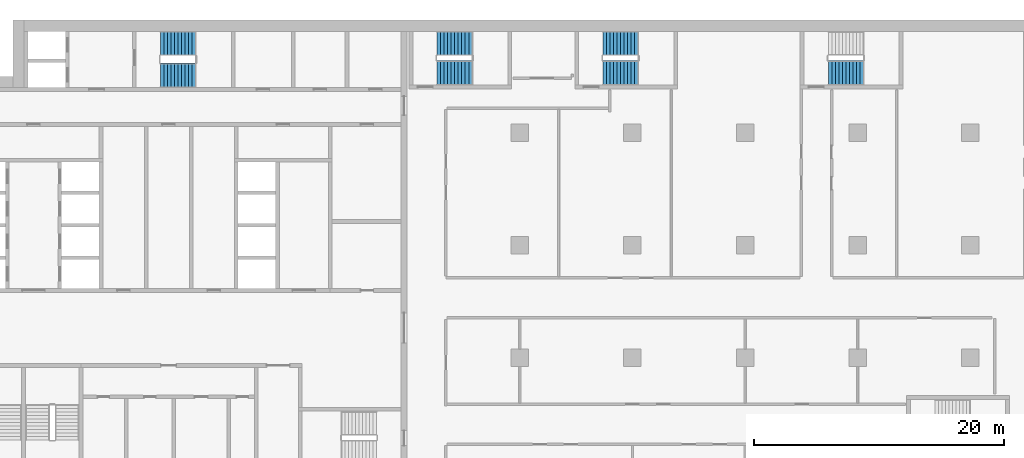
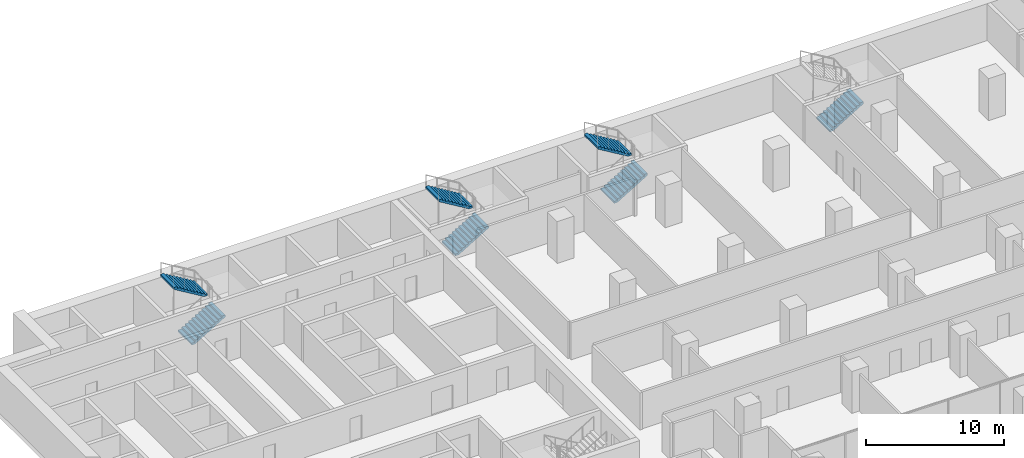
# One storey, part 21 of 28: 7 stair flights, 4 elements without a shape of their own.
"""IFC4 building model written with IfcOpenShell, lengths in metres."""

from ifc_helpers import new_model, si_unit, direction, frame, origin, place, context, subcontext, project, spatial, polyline, outline, extrude, material, type_object, element, aggregate, save


model = new_model("IFC4")

# Units and contexts
model_context = context("Model", 3, precision=1e-05, world=origin(), true_north=direction((0.0, 1.0)))
body_context = subcontext(model_context, "Body", "Model", "MODEL_VIEW")
ifc_project = project(units=[si_unit("LENGTHUNIT", "METRE"), si_unit("AREAUNIT", "SQUARE_METRE"), si_unit("VOLUMEUNIT", "CUBIC_METRE"), si_unit("PLANEANGLEUNIT", "RADIAN"), si_unit("MASSUNIT", "GRAM", prefix="KILO")], contexts=[model_context])

# Site, building, storey
site_placement = place(None, origin())
site = spatial("IfcSite", under=ifc_project, at=site_placement, CompositionType="ELEMENT")
building_placement = place(site_placement, origin())
building = spatial("IfcBuilding", under=site, at=building_placement, Name="Hunhe Ridgeline Campus", CompositionType="ELEMENT")
storey_placement = place(building_placement, frame((0.0, 0.0, 76.5)))
storey = spatial("IfcBuildingStorey", under=building, at=storey_placement, Name="L18", CompositionType="ELEMENT", Elevation=76.5)

# Stair, stair flights
ifc_material = material(Name="Concrete C40", Category="concrete")
stair_type = type_object("IfcStairType", Name="Reinforced concrete dog-leg stair 1950 Concrete C40", PredefinedType="HALF_TURN_STAIR", material=ifc_material)
stair_1_placement = place(storey_placement, origin())
stair_1 = element("IfcStair", 1, at=stair_1_placement, inside=storey, type_object=stair_type, Name="L18 S1", PredefinedType="HALF_TURN_STAIR")
stair_flight_type = type_object("IfcStairFlightType", Name="Reinforced concrete stair flight 1950 Concrete C40", PredefinedType="STRAIGHT", material=ifc_material)
stair_flight_1_placement = place(storey_placement, frame((16.300048828125, 94.574951171875, 0.0), z_axis=(0.0, 0.0, 1.0), x_axis=(1.0, 0.0, 0.0)))
stair_flight_1 = element("IfcStairFlight", 2, at=stair_flight_1_placement, type_object=stair_flight_type, Name="ST1 flight 1", NumberOfRisers=11, NumberOfTreads=10, PredefinedType="STRAIGHT", RiserHeight=0.168181818, TreadLength=0.28, context=body_context, shape_type="SweptSolid", body=[
    extrude(outline(polyline([(0.0, 0.0), (0.0, 0.168212890625), (0.280029296875, 0.168212890625), (0.280029296875, 0.33642578125), (0.56005859375, 0.33642578125), (0.56005859375, 0.504638671875), (0.840087890625, 0.504638671875), (0.840087890625, 0.672607421875), (1.1201171875, 0.672607421875), (1.1201171875, 0.8408203125), (1.39990234375, 0.8408203125), (1.39990234375, 1.009033203125), (1.679931640625, 1.009033203125), (1.679931640625, 1.17724609375), (1.9599609375, 1.17724609375), (1.9599609375, 1.345458984375), (2.239990234375, 1.345458984375), (2.239990234375, 1.513671875), (2.52001953125, 1.513671875), (2.52001953125, 1.681884765625), (2.800048828125, 1.681884765625), (2.800048828125, 1.85009765625), (2.800048828125, 1.5068359375), (0.291015625, 0.0), (0.0, 0.0)])), frame((0.0, 0.97509765625, 0.0), z_axis=(0.0, -1.0, 0.0), x_axis=(1.0, 0.0, 0.0)), (0.0, 0.0, 1.0), 1.949951171875),
    extrude(outline(polyline([(0.030029296875, 0.030029296875), (0.030029296875, 0.13818359375), (0.31005859375, 0.13818359375), (0.31005859375, 0.306396484375), (0.590087890625, 0.306396484375), (0.590087890625, 0.474609375), (0.8701171875, 0.474609375), (0.8701171875, 0.642578125), (1.14990234375, 0.642578125), (1.14990234375, 0.810791015625), (1.429931640625, 0.810791015625), (1.429931640625, 0.97900390625), (1.7099609375, 0.97900390625), (1.7099609375, 1.147216796875), (1.989990234375, 1.147216796875), (1.989990234375, 1.3154296875), (2.27001953125, 1.3154296875), (2.27001953125, 1.483642578125), (2.550048828125, 1.483642578125), (2.550048828125, 1.65185546875), (2.77001953125, 1.65185546875), (2.77001953125, 1.52392578125), (0.28271484375, 0.030029296875), (0.030029296875, 0.030029296875)])), frame((0.0, -0.070068359375, 0.0), z_axis=(0.0, -1.0, 0.0), x_axis=(1.0, 0.0, 0.0)), (0.0, 0.0, 1.0), 0.019775390625),
    extrude(outline(polyline([(0.030029296875, 0.030029296875), (0.030029296875, 0.13818359375), (0.31005859375, 0.13818359375), (0.31005859375, 0.306396484375), (0.590087890625, 0.306396484375), (0.590087890625, 0.474609375), (0.8701171875, 0.474609375), (0.8701171875, 0.642578125), (1.14990234375, 0.642578125), (1.14990234375, 0.810791015625), (1.429931640625, 0.810791015625), (1.429931640625, 0.97900390625), (1.7099609375, 0.97900390625), (1.7099609375, 1.147216796875), (1.989990234375, 1.147216796875), (1.989990234375, 1.3154296875), (2.27001953125, 1.3154296875), (2.27001953125, 1.483642578125), (2.550048828125, 1.483642578125), (2.550048828125, 1.65185546875), (2.77001953125, 1.65185546875), (2.77001953125, 1.52392578125), (0.28271484375, 0.030029296875), (0.030029296875, 0.030029296875)])), frame((0.0, 0.010009765625, 0.0), z_axis=(0.0, -1.0, 0.0), x_axis=(1.0, 0.0, 0.0)), (0.0, 0.0, 1.0), 0.019775390625),
    extrude(outline(polyline([(0.030029296875, 0.030029296875), (0.030029296875, 0.13818359375), (0.31005859375, 0.13818359375), (0.31005859375, 0.306396484375), (0.590087890625, 0.306396484375), (0.590087890625, 0.474609375), (0.8701171875, 0.474609375), (0.8701171875, 0.642578125), (1.14990234375, 0.642578125), (1.14990234375, 0.810791015625), (1.429931640625, 0.810791015625), (1.429931640625, 0.97900390625), (1.7099609375, 0.97900390625), (1.7099609375, 1.147216796875), (1.989990234375, 1.147216796875), (1.989990234375, 1.3154296875), (2.27001953125, 1.3154296875), (2.27001953125, 1.483642578125), (2.550048828125, 1.483642578125), (2.550048828125, 1.65185546875), (2.77001953125, 1.65185546875), (2.77001953125, 1.52392578125), (0.28271484375, 0.030029296875), (0.030029296875, 0.030029296875)])), frame((0.0, 0.090087890625, 0.0), z_axis=(0.0, -1.0, 0.0), x_axis=(1.0, 0.0, 0.0)), (0.0, 0.0, 1.0), 0.019775390625),
])
stair_flight_2_placement = place(storey_placement, frame((19.10009765625, 97.125, 1.85009765625), z_axis=(0.0, 0.0, 1.0), x_axis=(-1.0, 0.0, 0.0)))
stair_flight_2 = element("IfcStairFlight", 3, at=stair_flight_2_placement, type_object=stair_flight_type, Name="ST1 flight 2", NumberOfRisers=11, NumberOfTreads=10, PredefinedType="STRAIGHT", RiserHeight=0.168181818, TreadLength=0.28, context=body_context, shape_type="SweptSolid", body=[
    extrude(outline(polyline([(0.0, 0.0), (0.0, 0.168212890625), (0.280029296875, 0.168212890625), (0.280029296875, 0.33642578125), (0.56005859375, 0.33642578125), (0.56005859375, 0.504638671875), (0.840087890625, 0.504638671875), (0.840087890625, 0.672607421875), (1.1201171875, 0.672607421875), (1.1201171875, 0.8408203125), (1.39990234375, 0.8408203125), (1.39990234375, 1.009033203125), (1.679931640625, 1.009033203125), (1.679931640625, 1.17724609375), (1.9599609375, 1.17724609375), (1.9599609375, 1.345458984375), (2.239990234375, 1.345458984375), (2.239990234375, 1.513671875), (2.52001953125, 1.513671875), (2.52001953125, 1.681884765625), (2.800048828125, 1.681884765625), (2.800048828125, 1.85009765625), (2.800048828125, 1.5068359375), (0.291015625, 0.0), (0.0, 0.0)])), frame((0.0, 0.97509765625, 0.0), z_axis=(0.0, -1.0, 0.0), x_axis=(1.0, 0.0, 0.0)), (0.0, 0.0, 1.0), 1.949951171875),
    extrude(outline(polyline([(0.030029296875, 0.030029296875), (0.030029296875, 0.13818359375), (0.31005859375, 0.13818359375), (0.31005859375, 0.306396484375), (0.590087890625, 0.306396484375), (0.590087890625, 0.474609375), (0.8701171875, 0.474609375), (0.8701171875, 0.642578125), (1.14990234375, 0.642578125), (1.14990234375, 0.810791015625), (1.429931640625, 0.810791015625), (1.429931640625, 0.97900390625), (1.7099609375, 0.97900390625), (1.7099609375, 1.147216796875), (1.989990234375, 1.147216796875), (1.989990234375, 1.3154296875), (2.27001953125, 1.3154296875), (2.27001953125, 1.483642578125), (2.550048828125, 1.483642578125), (2.550048828125, 1.65185546875), (2.77001953125, 1.65185546875), (2.77001953125, 1.52392578125), (0.28271484375, 0.030029296875), (0.030029296875, 0.030029296875)])), frame((0.0, -0.070068359375, 0.0), z_axis=(0.0, -1.0, 0.0), x_axis=(1.0, 0.0, 0.0)), (0.0, 0.0, 1.0), 0.019775390625),
    extrude(outline(polyline([(0.030029296875, 0.030029296875), (0.030029296875, 0.13818359375), (0.31005859375, 0.13818359375), (0.31005859375, 0.306396484375), (0.590087890625, 0.306396484375), (0.590087890625, 0.474609375), (0.8701171875, 0.474609375), (0.8701171875, 0.642578125), (1.14990234375, 0.642578125), (1.14990234375, 0.810791015625), (1.429931640625, 0.810791015625), (1.429931640625, 0.97900390625), (1.7099609375, 0.97900390625), (1.7099609375, 1.147216796875), (1.989990234375, 1.147216796875), (1.989990234375, 1.3154296875), (2.27001953125, 1.3154296875), (2.27001953125, 1.483642578125), (2.550048828125, 1.483642578125), (2.550048828125, 1.65185546875), (2.77001953125, 1.65185546875), (2.77001953125, 1.52392578125), (0.28271484375, 0.030029296875), (0.030029296875, 0.030029296875)])), frame((0.0, 0.010009765625, 0.0), z_axis=(0.0, -1.0, 0.0), x_axis=(1.0, 0.0, 0.0)), (0.0, 0.0, 1.0), 0.019775390625),
    extrude(outline(polyline([(0.030029296875, 0.030029296875), (0.030029296875, 0.13818359375), (0.31005859375, 0.13818359375), (0.31005859375, 0.306396484375), (0.590087890625, 0.306396484375), (0.590087890625, 0.474609375), (0.8701171875, 0.474609375), (0.8701171875, 0.642578125), (1.14990234375, 0.642578125), (1.14990234375, 0.810791015625), (1.429931640625, 0.810791015625), (1.429931640625, 0.97900390625), (1.7099609375, 0.97900390625), (1.7099609375, 1.147216796875), (1.989990234375, 1.147216796875), (1.989990234375, 1.3154296875), (2.27001953125, 1.3154296875), (2.27001953125, 1.483642578125), (2.550048828125, 1.483642578125), (2.550048828125, 1.65185546875), (2.77001953125, 1.65185546875), (2.77001953125, 1.52392578125), (0.28271484375, 0.030029296875), (0.030029296875, 0.030029296875)])), frame((0.0, 0.090087890625, 0.0), z_axis=(0.0, -1.0, 0.0), x_axis=(1.0, 0.0, 0.0)), (0.0, 0.0, 1.0), 0.019775390625),
])
aggregate(stair_1, [stair_flight_1, stair_flight_2])

stair_2_placement = place(storey_placement, origin())
stair_2 = element("IfcStair", 4, at=stair_2_placement, inside=storey, type_object=stair_type, Name="L18 E1", PredefinedType="HALF_TURN_STAIR")
stair_flight_3_placement = place(storey_placement, frame((38.39990234375, 94.77490234375, 0.0), z_axis=(0.0, 0.0, 1.0), x_axis=(1.0, 0.0, 0.0)))
stair_flight_3 = element("IfcStairFlight", 5, at=stair_flight_3_placement, type_object=stair_flight_type, Name="ST5 flight 1", NumberOfRisers=11, NumberOfTreads=10, PredefinedType="STRAIGHT", RiserHeight=0.168181818, TreadLength=0.28, context=body_context, shape_type="SweptSolid", body=[
    extrude(outline(polyline([(0.0, 0.0), (0.0, 0.168212890625), (0.280029296875, 0.168212890625), (0.280029296875, 0.33642578125), (0.56005859375, 0.33642578125), (0.56005859375, 0.504638671875), (0.840087890625, 0.504638671875), (0.840087890625, 0.672607421875), (1.1201171875, 0.672607421875), (1.1201171875, 0.8408203125), (1.39990234375, 0.8408203125), (1.39990234375, 1.009033203125), (1.679931640625, 1.009033203125), (1.679931640625, 1.17724609375), (1.9599609375, 1.17724609375), (1.9599609375, 1.345458984375), (2.239990234375, 1.345458984375), (2.239990234375, 1.513671875), (2.52001953125, 1.513671875), (2.52001953125, 1.681884765625), (2.800048828125, 1.681884765625), (2.800048828125, 1.85009765625), (2.800048828125, 1.5068359375), (0.291015625, 0.0), (0.0, 0.0)])), frame((0.0, 0.97509765625, 0.0), z_axis=(0.0, -1.0, 0.0), x_axis=(1.0, 0.0, 0.0)), (0.0, 0.0, 1.0), 1.949951171875),
    extrude(outline(polyline([(0.030029296875, 0.030029296875), (0.030029296875, 0.13818359375), (0.31005859375, 0.13818359375), (0.31005859375, 0.306396484375), (0.590087890625, 0.306396484375), (0.590087890625, 0.474609375), (0.8701171875, 0.474609375), (0.8701171875, 0.642578125), (1.14990234375, 0.642578125), (1.14990234375, 0.810791015625), (1.429931640625, 0.810791015625), (1.429931640625, 0.97900390625), (1.7099609375, 0.97900390625), (1.7099609375, 1.147216796875), (1.989990234375, 1.147216796875), (1.989990234375, 1.3154296875), (2.27001953125, 1.3154296875), (2.27001953125, 1.483642578125), (2.550048828125, 1.483642578125), (2.550048828125, 1.65185546875), (2.77001953125, 1.65185546875), (2.77001953125, 1.52392578125), (0.28271484375, 0.030029296875), (0.030029296875, 0.030029296875)])), frame((0.0, -0.070068359375, 0.0), z_axis=(0.0, -1.0, 0.0), x_axis=(1.0, 0.0, 0.0)), (0.0, 0.0, 1.0), 0.019775390625),
    extrude(outline(polyline([(0.030029296875, 0.030029296875), (0.030029296875, 0.13818359375), (0.31005859375, 0.13818359375), (0.31005859375, 0.306396484375), (0.590087890625, 0.306396484375), (0.590087890625, 0.474609375), (0.8701171875, 0.474609375), (0.8701171875, 0.642578125), (1.14990234375, 0.642578125), (1.14990234375, 0.810791015625), (1.429931640625, 0.810791015625), (1.429931640625, 0.97900390625), (1.7099609375, 0.97900390625), (1.7099609375, 1.147216796875), (1.989990234375, 1.147216796875), (1.989990234375, 1.3154296875), (2.27001953125, 1.3154296875), (2.27001953125, 1.483642578125), (2.550048828125, 1.483642578125), (2.550048828125, 1.65185546875), (2.77001953125, 1.65185546875), (2.77001953125, 1.52392578125), (0.28271484375, 0.030029296875), (0.030029296875, 0.030029296875)])), frame((0.0, 0.010009765625, 0.0), z_axis=(0.0, -1.0, 0.0), x_axis=(1.0, 0.0, 0.0)), (0.0, 0.0, 1.0), 0.019775390625),
    extrude(outline(polyline([(0.030029296875, 0.030029296875), (0.030029296875, 0.13818359375), (0.31005859375, 0.13818359375), (0.31005859375, 0.306396484375), (0.590087890625, 0.306396484375), (0.590087890625, 0.474609375), (0.8701171875, 0.474609375), (0.8701171875, 0.642578125), (1.14990234375, 0.642578125), (1.14990234375, 0.810791015625), (1.429931640625, 0.810791015625), (1.429931640625, 0.97900390625), (1.7099609375, 0.97900390625), (1.7099609375, 1.147216796875), (1.989990234375, 1.147216796875), (1.989990234375, 1.3154296875), (2.27001953125, 1.3154296875), (2.27001953125, 1.483642578125), (2.550048828125, 1.483642578125), (2.550048828125, 1.65185546875), (2.77001953125, 1.65185546875), (2.77001953125, 1.52392578125), (0.28271484375, 0.030029296875), (0.030029296875, 0.030029296875)])), frame((0.0, 0.090087890625, 0.0), z_axis=(0.0, -1.0, 0.0), x_axis=(1.0, 0.0, 0.0)), (0.0, 0.0, 1.0), 0.019775390625),
])
stair_flight_4_placement = place(storey_placement, frame((41.199951171875, 97.125, 1.85009765625), z_axis=(0.0, 0.0, 1.0), x_axis=(-1.0, 0.0, 0.0)))
stair_flight_4 = element("IfcStairFlight", 6, at=stair_flight_4_placement, type_object=stair_flight_type, Name="ST5 flight 2", NumberOfRisers=11, NumberOfTreads=10, PredefinedType="STRAIGHT", RiserHeight=0.168181818, TreadLength=0.28, context=body_context, shape_type="SweptSolid", body=[
    extrude(outline(polyline([(0.0, 0.0), (0.0, 0.168212890625), (0.280029296875, 0.168212890625), (0.280029296875, 0.33642578125), (0.56005859375, 0.33642578125), (0.56005859375, 0.504638671875), (0.840087890625, 0.504638671875), (0.840087890625, 0.672607421875), (1.1201171875, 0.672607421875), (1.1201171875, 0.8408203125), (1.39990234375, 0.8408203125), (1.39990234375, 1.009033203125), (1.679931640625, 1.009033203125), (1.679931640625, 1.17724609375), (1.9599609375, 1.17724609375), (1.9599609375, 1.345458984375), (2.239990234375, 1.345458984375), (2.239990234375, 1.513671875), (2.52001953125, 1.513671875), (2.52001953125, 1.681884765625), (2.800048828125, 1.681884765625), (2.800048828125, 1.85009765625), (2.800048828125, 1.5068359375), (0.291015625, 0.0), (0.0, 0.0)])), frame((0.0, 0.97509765625, 0.0), z_axis=(0.0, -1.0, 0.0), x_axis=(1.0, 0.0, 0.0)), (0.0, 0.0, 1.0), 1.949951171875),
    extrude(outline(polyline([(0.030029296875, 0.030029296875), (0.030029296875, 0.13818359375), (0.31005859375, 0.13818359375), (0.31005859375, 0.306396484375), (0.590087890625, 0.306396484375), (0.590087890625, 0.474609375), (0.8701171875, 0.474609375), (0.8701171875, 0.642578125), (1.14990234375, 0.642578125), (1.14990234375, 0.810791015625), (1.429931640625, 0.810791015625), (1.429931640625, 0.97900390625), (1.7099609375, 0.97900390625), (1.7099609375, 1.147216796875), (1.989990234375, 1.147216796875), (1.989990234375, 1.3154296875), (2.27001953125, 1.3154296875), (2.27001953125, 1.483642578125), (2.550048828125, 1.483642578125), (2.550048828125, 1.65185546875), (2.77001953125, 1.65185546875), (2.77001953125, 1.52392578125), (0.28271484375, 0.030029296875), (0.030029296875, 0.030029296875)])), frame((0.0, -0.070068359375, 0.0), z_axis=(0.0, -1.0, 0.0), x_axis=(1.0, 0.0, 0.0)), (0.0, 0.0, 1.0), 0.019775390625),
    extrude(outline(polyline([(0.030029296875, 0.030029296875), (0.030029296875, 0.13818359375), (0.31005859375, 0.13818359375), (0.31005859375, 0.306396484375), (0.590087890625, 0.306396484375), (0.590087890625, 0.474609375), (0.8701171875, 0.474609375), (0.8701171875, 0.642578125), (1.14990234375, 0.642578125), (1.14990234375, 0.810791015625), (1.429931640625, 0.810791015625), (1.429931640625, 0.97900390625), (1.7099609375, 0.97900390625), (1.7099609375, 1.147216796875), (1.989990234375, 1.147216796875), (1.989990234375, 1.3154296875), (2.27001953125, 1.3154296875), (2.27001953125, 1.483642578125), (2.550048828125, 1.483642578125), (2.550048828125, 1.65185546875), (2.77001953125, 1.65185546875), (2.77001953125, 1.52392578125), (0.28271484375, 0.030029296875), (0.030029296875, 0.030029296875)])), frame((0.0, 0.010009765625, 0.0), z_axis=(0.0, -1.0, 0.0), x_axis=(1.0, 0.0, 0.0)), (0.0, 0.0, 1.0), 0.019775390625),
    extrude(outline(polyline([(0.030029296875, 0.030029296875), (0.030029296875, 0.13818359375), (0.31005859375, 0.13818359375), (0.31005859375, 0.306396484375), (0.590087890625, 0.306396484375), (0.590087890625, 0.474609375), (0.8701171875, 0.474609375), (0.8701171875, 0.642578125), (1.14990234375, 0.642578125), (1.14990234375, 0.810791015625), (1.429931640625, 0.810791015625), (1.429931640625, 0.97900390625), (1.7099609375, 0.97900390625), (1.7099609375, 1.147216796875), (1.989990234375, 1.147216796875), (1.989990234375, 1.3154296875), (2.27001953125, 1.3154296875), (2.27001953125, 1.483642578125), (2.550048828125, 1.483642578125), (2.550048828125, 1.65185546875), (2.77001953125, 1.65185546875), (2.77001953125, 1.52392578125), (0.28271484375, 0.030029296875), (0.030029296875, 0.030029296875)])), frame((0.0, 0.090087890625, 0.0), z_axis=(0.0, -1.0, 0.0), x_axis=(1.0, 0.0, 0.0)), (0.0, 0.0, 1.0), 0.019775390625),
])
aggregate(stair_2, [stair_flight_3, stair_flight_4])

stair_3_placement = place(storey_placement, origin())
stair_3 = element("IfcStair", 7, at=stair_3_placement, inside=storey, type_object=stair_type, Name="L18 E2", PredefinedType="HALF_TURN_STAIR")
stair_flight_5_placement = place(storey_placement, frame((51.64990234375, 94.77490234375, 0.0), z_axis=(0.0, 0.0, 1.0), x_axis=(1.0, 0.0, 0.0)))
stair_flight_5 = element("IfcStairFlight", 8, at=stair_flight_5_placement, type_object=stair_flight_type, Name="ST6 flight 1", NumberOfRisers=11, NumberOfTreads=10, PredefinedType="STRAIGHT", RiserHeight=0.168181818, TreadLength=0.28, context=body_context, shape_type="SweptSolid", body=[
    extrude(outline(polyline([(0.0, 0.0), (0.0, 0.168212890625), (0.280029296875, 0.168212890625), (0.280029296875, 0.33642578125), (0.56005859375, 0.33642578125), (0.56005859375, 0.504638671875), (0.840087890625, 0.504638671875), (0.840087890625, 0.672607421875), (1.1201171875, 0.672607421875), (1.1201171875, 0.8408203125), (1.39990234375, 0.8408203125), (1.39990234375, 1.009033203125), (1.679931640625, 1.009033203125), (1.679931640625, 1.17724609375), (1.9599609375, 1.17724609375), (1.9599609375, 1.345458984375), (2.239990234375, 1.345458984375), (2.239990234375, 1.513671875), (2.52001953125, 1.513671875), (2.52001953125, 1.681884765625), (2.800048828125, 1.681884765625), (2.800048828125, 1.85009765625), (2.800048828125, 1.5068359375), (0.291015625, 0.0), (0.0, 0.0)])), frame((0.0, 0.97509765625, 0.0), z_axis=(0.0, -1.0, 0.0), x_axis=(1.0, 0.0, 0.0)), (0.0, 0.0, 1.0), 1.949951171875),
    extrude(outline(polyline([(0.030029296875, 0.030029296875), (0.030029296875, 0.13818359375), (0.31005859375, 0.13818359375), (0.31005859375, 0.306396484375), (0.590087890625, 0.306396484375), (0.590087890625, 0.474609375), (0.8701171875, 0.474609375), (0.8701171875, 0.642578125), (1.14990234375, 0.642578125), (1.14990234375, 0.810791015625), (1.429931640625, 0.810791015625), (1.429931640625, 0.97900390625), (1.7099609375, 0.97900390625), (1.7099609375, 1.147216796875), (1.989990234375, 1.147216796875), (1.989990234375, 1.3154296875), (2.27001953125, 1.3154296875), (2.27001953125, 1.483642578125), (2.550048828125, 1.483642578125), (2.550048828125, 1.65185546875), (2.77001953125, 1.65185546875), (2.77001953125, 1.52392578125), (0.28271484375, 0.030029296875), (0.030029296875, 0.030029296875)])), frame((0.0, -0.070068359375, 0.0), z_axis=(0.0, -1.0, 0.0), x_axis=(1.0, 0.0, 0.0)), (0.0, 0.0, 1.0), 0.019775390625),
    extrude(outline(polyline([(0.030029296875, 0.030029296875), (0.030029296875, 0.13818359375), (0.31005859375, 0.13818359375), (0.31005859375, 0.306396484375), (0.590087890625, 0.306396484375), (0.590087890625, 0.474609375), (0.8701171875, 0.474609375), (0.8701171875, 0.642578125), (1.14990234375, 0.642578125), (1.14990234375, 0.810791015625), (1.429931640625, 0.810791015625), (1.429931640625, 0.97900390625), (1.7099609375, 0.97900390625), (1.7099609375, 1.147216796875), (1.989990234375, 1.147216796875), (1.989990234375, 1.3154296875), (2.27001953125, 1.3154296875), (2.27001953125, 1.483642578125), (2.550048828125, 1.483642578125), (2.550048828125, 1.65185546875), (2.77001953125, 1.65185546875), (2.77001953125, 1.52392578125), (0.28271484375, 0.030029296875), (0.030029296875, 0.030029296875)])), frame((0.0, 0.010009765625, 0.0), z_axis=(0.0, -1.0, 0.0), x_axis=(1.0, 0.0, 0.0)), (0.0, 0.0, 1.0), 0.019775390625),
    extrude(outline(polyline([(0.030029296875, 0.030029296875), (0.030029296875, 0.13818359375), (0.31005859375, 0.13818359375), (0.31005859375, 0.306396484375), (0.590087890625, 0.306396484375), (0.590087890625, 0.474609375), (0.8701171875, 0.474609375), (0.8701171875, 0.642578125), (1.14990234375, 0.642578125), (1.14990234375, 0.810791015625), (1.429931640625, 0.810791015625), (1.429931640625, 0.97900390625), (1.7099609375, 0.97900390625), (1.7099609375, 1.147216796875), (1.989990234375, 1.147216796875), (1.989990234375, 1.3154296875), (2.27001953125, 1.3154296875), (2.27001953125, 1.483642578125), (2.550048828125, 1.483642578125), (2.550048828125, 1.65185546875), (2.77001953125, 1.65185546875), (2.77001953125, 1.52392578125), (0.28271484375, 0.030029296875), (0.030029296875, 0.030029296875)])), frame((0.0, 0.090087890625, 0.0), z_axis=(0.0, -1.0, 0.0), x_axis=(1.0, 0.0, 0.0)), (0.0, 0.0, 1.0), 0.019775390625),
])
stair_flight_6_placement = place(storey_placement, frame((54.449951171875, 97.125, 1.85009765625), z_axis=(0.0, 0.0, 1.0), x_axis=(-1.0, 0.0, 0.0)))
stair_flight_6 = element("IfcStairFlight", 9, at=stair_flight_6_placement, type_object=stair_flight_type, Name="ST6 flight 2", NumberOfRisers=11, NumberOfTreads=10, PredefinedType="STRAIGHT", RiserHeight=0.168181818, TreadLength=0.28, context=body_context, shape_type="SweptSolid", body=[
    extrude(outline(polyline([(0.0, 0.0), (0.0, 0.168212890625), (0.280029296875, 0.168212890625), (0.280029296875, 0.33642578125), (0.56005859375, 0.33642578125), (0.56005859375, 0.504638671875), (0.840087890625, 0.504638671875), (0.840087890625, 0.672607421875), (1.1201171875, 0.672607421875), (1.1201171875, 0.8408203125), (1.39990234375, 0.8408203125), (1.39990234375, 1.009033203125), (1.679931640625, 1.009033203125), (1.679931640625, 1.17724609375), (1.9599609375, 1.17724609375), (1.9599609375, 1.345458984375), (2.239990234375, 1.345458984375), (2.239990234375, 1.513671875), (2.52001953125, 1.513671875), (2.52001953125, 1.681884765625), (2.800048828125, 1.681884765625), (2.800048828125, 1.85009765625), (2.800048828125, 1.5068359375), (0.291015625, 0.0), (0.0, 0.0)])), frame((0.0, 0.97509765625, 0.0), z_axis=(0.0, -1.0, 0.0), x_axis=(1.0, 0.0, 0.0)), (0.0, 0.0, 1.0), 1.949951171875),
    extrude(outline(polyline([(0.030029296875, 0.030029296875), (0.030029296875, 0.13818359375), (0.31005859375, 0.13818359375), (0.31005859375, 0.306396484375), (0.590087890625, 0.306396484375), (0.590087890625, 0.474609375), (0.8701171875, 0.474609375), (0.8701171875, 0.642578125), (1.14990234375, 0.642578125), (1.14990234375, 0.810791015625), (1.429931640625, 0.810791015625), (1.429931640625, 0.97900390625), (1.7099609375, 0.97900390625), (1.7099609375, 1.147216796875), (1.989990234375, 1.147216796875), (1.989990234375, 1.3154296875), (2.27001953125, 1.3154296875), (2.27001953125, 1.483642578125), (2.550048828125, 1.483642578125), (2.550048828125, 1.65185546875), (2.77001953125, 1.65185546875), (2.77001953125, 1.52392578125), (0.28271484375, 0.030029296875), (0.030029296875, 0.030029296875)])), frame((0.0, -0.070068359375, 0.0), z_axis=(0.0, -1.0, 0.0), x_axis=(1.0, 0.0, 0.0)), (0.0, 0.0, 1.0), 0.019775390625),
    extrude(outline(polyline([(0.030029296875, 0.030029296875), (0.030029296875, 0.13818359375), (0.31005859375, 0.13818359375), (0.31005859375, 0.306396484375), (0.590087890625, 0.306396484375), (0.590087890625, 0.474609375), (0.8701171875, 0.474609375), (0.8701171875, 0.642578125), (1.14990234375, 0.642578125), (1.14990234375, 0.810791015625), (1.429931640625, 0.810791015625), (1.429931640625, 0.97900390625), (1.7099609375, 0.97900390625), (1.7099609375, 1.147216796875), (1.989990234375, 1.147216796875), (1.989990234375, 1.3154296875), (2.27001953125, 1.3154296875), (2.27001953125, 1.483642578125), (2.550048828125, 1.483642578125), (2.550048828125, 1.65185546875), (2.77001953125, 1.65185546875), (2.77001953125, 1.52392578125), (0.28271484375, 0.030029296875), (0.030029296875, 0.030029296875)])), frame((0.0, 0.010009765625, 0.0), z_axis=(0.0, -1.0, 0.0), x_axis=(1.0, 0.0, 0.0)), (0.0, 0.0, 1.0), 0.019775390625),
    extrude(outline(polyline([(0.030029296875, 0.030029296875), (0.030029296875, 0.13818359375), (0.31005859375, 0.13818359375), (0.31005859375, 0.306396484375), (0.590087890625, 0.306396484375), (0.590087890625, 0.474609375), (0.8701171875, 0.474609375), (0.8701171875, 0.642578125), (1.14990234375, 0.642578125), (1.14990234375, 0.810791015625), (1.429931640625, 0.810791015625), (1.429931640625, 0.97900390625), (1.7099609375, 0.97900390625), (1.7099609375, 1.147216796875), (1.989990234375, 1.147216796875), (1.989990234375, 1.3154296875), (2.27001953125, 1.3154296875), (2.27001953125, 1.483642578125), (2.550048828125, 1.483642578125), (2.550048828125, 1.65185546875), (2.77001953125, 1.65185546875), (2.77001953125, 1.52392578125), (0.28271484375, 0.030029296875), (0.030029296875, 0.030029296875)])), frame((0.0, 0.090087890625, 0.0), z_axis=(0.0, -1.0, 0.0), x_axis=(1.0, 0.0, 0.0)), (0.0, 0.0, 1.0), 0.019775390625),
])
aggregate(stair_3, [stair_flight_5, stair_flight_6])

# Stair, stair flight
stair_4_placement = place(storey_placement, origin())
stair_4 = element("IfcStair", 10, at=stair_4_placement, inside=storey, type_object=stair_type, Name="L18 E3", PredefinedType="HALF_TURN_STAIR")
stair_flight_7_placement = place(storey_placement, frame((69.64990234375, 94.77490234375, 0.0), z_axis=(0.0, 0.0, 1.0), x_axis=(1.0, 0.0, 0.0)))
stair_flight_7 = element("IfcStairFlight", 11, at=stair_flight_7_placement, type_object=stair_flight_type, Name="ST7 flight 1", NumberOfRisers=11, NumberOfTreads=10, PredefinedType="STRAIGHT", RiserHeight=0.168181818, TreadLength=0.28, context=body_context, shape_type="SweptSolid", body=[
    extrude(outline(polyline([(0.0, 0.0), (0.0, 0.168212890625), (0.280029296875, 0.168212890625), (0.280029296875, 0.33642578125), (0.56005859375, 0.33642578125), (0.56005859375, 0.504638671875), (0.840087890625, 0.504638671875), (0.840087890625, 0.672607421875), (1.1201171875, 0.672607421875), (1.1201171875, 0.8408203125), (1.39990234375, 0.8408203125), (1.39990234375, 1.009033203125), (1.679931640625, 1.009033203125), (1.679931640625, 1.17724609375), (1.9599609375, 1.17724609375), (1.9599609375, 1.345458984375), (2.239990234375, 1.345458984375), (2.239990234375, 1.513671875), (2.52001953125, 1.513671875), (2.52001953125, 1.681884765625), (2.800048828125, 1.681884765625), (2.800048828125, 1.85009765625), (2.800048828125, 1.5068359375), (0.291015625, 0.0), (0.0, 0.0)])), frame((0.0, 0.97509765625, 0.0), z_axis=(0.0, -1.0, 0.0), x_axis=(1.0, 0.0, 0.0)), (0.0, 0.0, 1.0), 1.949951171875),
    extrude(outline(polyline([(0.030029296875, 0.030029296875), (0.030029296875, 0.13818359375), (0.31005859375, 0.13818359375), (0.31005859375, 0.306396484375), (0.590087890625, 0.306396484375), (0.590087890625, 0.474609375), (0.8701171875, 0.474609375), (0.8701171875, 0.642578125), (1.14990234375, 0.642578125), (1.14990234375, 0.810791015625), (1.429931640625, 0.810791015625), (1.429931640625, 0.97900390625), (1.7099609375, 0.97900390625), (1.7099609375, 1.147216796875), (1.989990234375, 1.147216796875), (1.989990234375, 1.3154296875), (2.27001953125, 1.3154296875), (2.27001953125, 1.483642578125), (2.550048828125, 1.483642578125), (2.550048828125, 1.65185546875), (2.77001953125, 1.65185546875), (2.77001953125, 1.52392578125), (0.28271484375, 0.030029296875), (0.030029296875, 0.030029296875)])), frame((0.0, -0.070068359375, 0.0), z_axis=(0.0, -1.0, 0.0), x_axis=(1.0, 0.0, 0.0)), (0.0, 0.0, 1.0), 0.019775390625),
    extrude(outline(polyline([(0.030029296875, 0.030029296875), (0.030029296875, 0.13818359375), (0.31005859375, 0.13818359375), (0.31005859375, 0.306396484375), (0.590087890625, 0.306396484375), (0.590087890625, 0.474609375), (0.8701171875, 0.474609375), (0.8701171875, 0.642578125), (1.14990234375, 0.642578125), (1.14990234375, 0.810791015625), (1.429931640625, 0.810791015625), (1.429931640625, 0.97900390625), (1.7099609375, 0.97900390625), (1.7099609375, 1.147216796875), (1.989990234375, 1.147216796875), (1.989990234375, 1.3154296875), (2.27001953125, 1.3154296875), (2.27001953125, 1.483642578125), (2.550048828125, 1.483642578125), (2.550048828125, 1.65185546875), (2.77001953125, 1.65185546875), (2.77001953125, 1.52392578125), (0.28271484375, 0.030029296875), (0.030029296875, 0.030029296875)])), frame((0.0, 0.010009765625, 0.0), z_axis=(0.0, -1.0, 0.0), x_axis=(1.0, 0.0, 0.0)), (0.0, 0.0, 1.0), 0.019775390625),
    extrude(outline(polyline([(0.030029296875, 0.030029296875), (0.030029296875, 0.13818359375), (0.31005859375, 0.13818359375), (0.31005859375, 0.306396484375), (0.590087890625, 0.306396484375), (0.590087890625, 0.474609375), (0.8701171875, 0.474609375), (0.8701171875, 0.642578125), (1.14990234375, 0.642578125), (1.14990234375, 0.810791015625), (1.429931640625, 0.810791015625), (1.429931640625, 0.97900390625), (1.7099609375, 0.97900390625), (1.7099609375, 1.147216796875), (1.989990234375, 1.147216796875), (1.989990234375, 1.3154296875), (2.27001953125, 1.3154296875), (2.27001953125, 1.483642578125), (2.550048828125, 1.483642578125), (2.550048828125, 1.65185546875), (2.77001953125, 1.65185546875), (2.77001953125, 1.52392578125), (0.28271484375, 0.030029296875), (0.030029296875, 0.030029296875)])), frame((0.0, 0.090087890625, 0.0), z_axis=(0.0, -1.0, 0.0), x_axis=(1.0, 0.0, 0.0)), (0.0, 0.0, 1.0), 0.019775390625),
])
aggregate(stair_4, [stair_flight_7])

save(model, "model.ifc")
